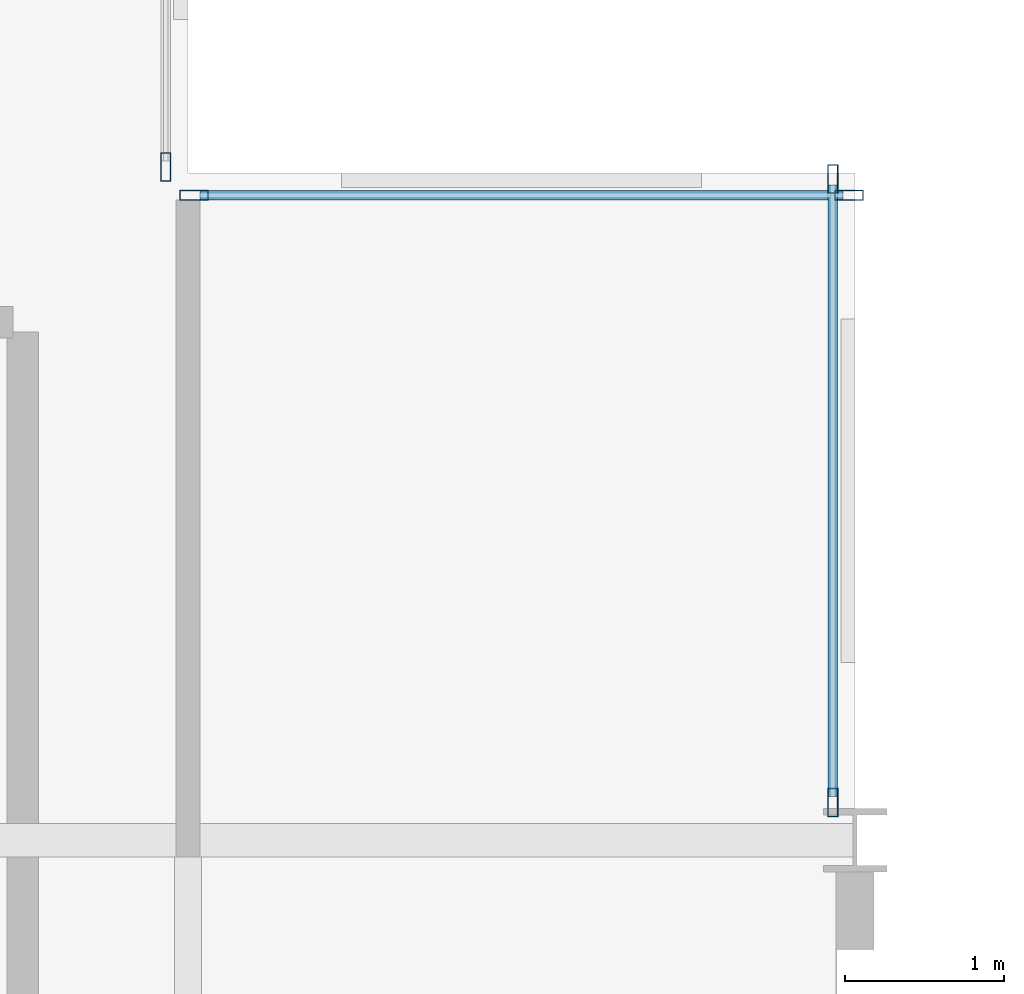
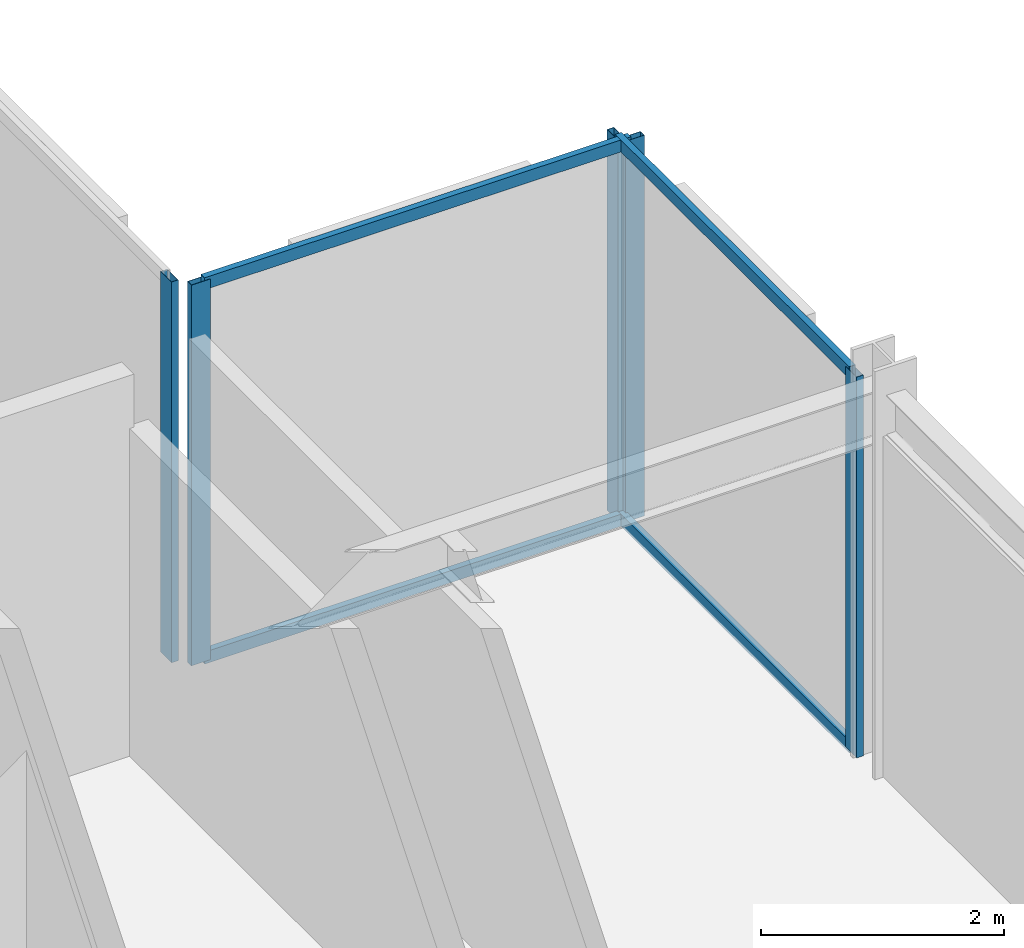
# One storey, part 20 of 29: 9 members, 3 elements without a shape of their own.
"""IFC4 building model written with IfcOpenShell, lengths in metres."""

from ifc_helpers import new_model, si_unit, direction, frame, origin, origin_2d, place, context, subcontext, project, spatial, hollow_rectangle, extrude, material, layer, layer_set, material_profile, profile_set, type_object, element, aggregate, save


model = new_model("IFC4")

# Units and contexts
model_context = context("Model", 3, precision=1e-05, world=origin(), true_north=direction((0.0, 1.0)))
body_context = subcontext(model_context, "Body", "Model", "MODEL_VIEW")
ifc_project = project(units=[si_unit("LENGTHUNIT", "METRE"), si_unit("AREAUNIT", "SQUARE_METRE"), si_unit("VOLUMEUNIT", "CUBIC_METRE"), si_unit("PLANEANGLEUNIT", "RADIAN"), si_unit("MASSUNIT", "GRAM", prefix="KILO")], contexts=[model_context])

# Site, building, storey
site_placement = place(None, origin())
site = spatial("IfcSite", under=ifc_project, at=site_placement, CompositionType="ELEMENT")
building_placement = place(site_placement, origin())
building = spatial("IfcBuilding", under=site, at=building_placement, Name="Nerrivon Quay Data Exchange", CompositionType="ELEMENT")
storey_placement = place(building_placement, frame((0.0, 0.0, 121.300048828125)))
storey = spatial("IfcBuildingStorey", under=building, at=storey_placement, Name="L28", CompositionType="ELEMENT", Elevation=121.300048828125)

# Curtain wall, member
ifc_material = material(Name="Anodised aluminium 6063-T6", Category="aluminium")
ifc_layer = layer(ifc_material, 0.2099609375)
ifc_layer_set = layer_set([ifc_layer], Name="Anodised aluminium 6063-T6")
curtain_wall_type = type_object("IfcCurtainWallType", Name="CW-SYS-02", PredefinedType="NOTDEFINED", material=ifc_layer_set)
curtain_wall_1_placement = place(storey_placement, origin())
curtain_wall_1 = element("IfcCurtainWall", 1, at=curtain_wall_1_placement, inside=storey, type_object=curtain_wall_type, Name="L28 Unitised Curtain Wall 21", PredefinedType="NOTDEFINED")
ifc_material_profile_1 = material_profile(ifc_material, hollow_rectangle(XDim=0.06494140625, YDim=0.179931640625, WallThickness=0.00341796875, at=origin_2d()), Name="ALU-MULL-180x65")
ifc_profile_set_1 = profile_set([ifc_material_profile_1], Name="Anodised aluminium 6063-T6")
member_type_1 = type_object("IfcMemberType", Name="CWM-180x65", PredefinedType="MULLION", material=ifc_profile_set_1)
member_1_placement = place(storey_placement, frame((20.860107421875, 46.237548828125, 0.0), z_axis=(0.0, 0.0, 1.0), x_axis=(1.0, 0.0, 0.0)))
member_1 = element("IfcMember", 2, at=member_1_placement, type_object=member_type_1, Name="CW02 mullion 2", PredefinedType="MULLION", context=body_context, shape_type="SweptSolid", body=[
    extrude(hollow_rectangle(XDim=0.06494140625, YDim=0.179931640625, WallThickness=0.00341796875, at=origin_2d()), origin(), (0.0, 0.0, 1.0), 3.824951171875),
])
aggregate(curtain_wall_1, [member_1])

# Curtain wall, members
curtain_wall_2_placement = place(storey_placement, origin())
curtain_wall_2 = element("IfcCurtainWall", 3, at=curtain_wall_2_placement, inside=storey, type_object=curtain_wall_type, Name="L28 Unitised Curtain Wall 22", PredefinedType="NOTDEFINED")
member_2_placement = place(storey_placement, frame((21.03759765625, 46.06005859375, 0.0), z_axis=(0.0, 0.0, 1.0), x_axis=(0.0, 1.0, 0.0)))
member_2 = element("IfcMember", 4, at=member_2_placement, type_object=member_type_1, Name="CW02 mullion 1", PredefinedType="MULLION", context=body_context, shape_type="SweptSolid", body=[
    extrude(hollow_rectangle(XDim=0.06494140625, YDim=0.179931640625, WallThickness=0.00341796875, at=origin_2d()), origin(), (0.0, 0.0, 1.0), 3.824951171875),
])
member_3_placement = place(storey_placement, frame((25.16259765625, 46.06005859375, 0.0), z_axis=(0.0, 0.0, 1.0), x_axis=(0.0, 1.0, 0.0)))
member_3 = element("IfcMember", 5, at=member_3_placement, type_object=member_type_1, Name="CW02 mullion 2", PredefinedType="MULLION", context=body_context, shape_type="SweptSolid", body=[
    extrude(hollow_rectangle(XDim=0.06494140625, YDim=0.179931640625, WallThickness=0.00341796875, at=origin_2d()), origin(), (0.0, 0.0, 1.0), 3.824951171875),
])

curtain_wall_3_placement = place(storey_placement, origin())
curtain_wall_3 = element("IfcCurtainWall", 6, at=curtain_wall_3_placement, inside=storey, type_object=curtain_wall_type, Name="L28 Unitised Curtain Wall 23", PredefinedType="NOTDEFINED")
member_4_placement = place(storey_placement, frame((25.06005859375, 46.16259765625, 0.0), z_axis=(0.0, 0.0, 1.0), x_axis=(1.0, 0.0, 0.0)))
member_4 = element("IfcMember", 7, at=member_4_placement, type_object=member_type_1, Name="CW02 mullion 1", PredefinedType="MULLION", context=body_context, shape_type="SweptSolid", body=[
    extrude(hollow_rectangle(XDim=0.06494140625, YDim=0.179931640625, WallThickness=0.00341796875, at=origin_2d()), origin(), (0.0, 0.0, 1.0), 3.824951171875),
])
member_5_placement = place(storey_placement, frame((25.06005859375, 42.237548828125, 0.0), z_axis=(0.0, 0.0, 1.0), x_axis=(1.0, 0.0, 0.0)))
member_5 = element("IfcMember", 8, at=member_5_placement, type_object=member_type_1, Name="CW02 mullion 2", PredefinedType="MULLION", context=body_context, shape_type="SweptSolid", body=[
    extrude(hollow_rectangle(XDim=0.06494140625, YDim=0.179931640625, WallThickness=0.00341796875, at=origin_2d()), origin(), (0.0, 0.0, 1.0), 3.824951171875),
])

# Member
ifc_material_profile_2 = material_profile(ifc_material, hollow_rectangle(XDim=0.06005859375, YDim=0.1201171875, WallThickness=0.003173828125, at=origin_2d()), Name="ALU-TRAN-120x60")
ifc_profile_set_2 = profile_set([ifc_material_profile_2], Name="Anodised aluminium 6063-T6")
member_type_2 = type_object("IfcMemberType", Name="CWT-120x60", PredefinedType="USERDEFINED", material=ifc_profile_set_2)
member_6_placement = place(storey_placement, frame((21.074951171875, 46.06005859375, 0.032470703125), z_axis=(1.0, 0.0, 0.0), x_axis=(0.0, 1.0, 0.0)))
member_6 = element("IfcMember", 9, at=member_6_placement, type_object=member_type_2, Name="CW02 transom 1.1", ObjectType="TRANSOM", PredefinedType="USERDEFINED", context=body_context, shape_type="SweptSolid", body=[
    extrude(hollow_rectangle(XDim=0.06005859375, YDim=0.1201171875, WallThickness=0.003173828125, at=origin_2d()), origin(), (0.0, 0.0, 1.0), 4.050048828125),
])

member_7_placement = place(storey_placement, frame((21.074951171875, 46.06005859375, 3.79248046875), z_axis=(1.0, 0.0, 0.0), x_axis=(0.0, 1.0, 0.0)))
member_7 = element("IfcMember", 10, at=member_7_placement, type_object=member_type_2, Name="CW02 transom 1.2", ObjectType="TRANSOM", PredefinedType="USERDEFINED", context=body_context, shape_type="SweptSolid", body=[
    extrude(hollow_rectangle(XDim=0.06005859375, YDim=0.1201171875, WallThickness=0.003173828125, at=origin_2d()), origin(), (0.0, 0.0, 1.0), 4.050048828125),
])

aggregate(curtain_wall_2, [member_2, member_3, member_6, member_7])

member_8_placement = place(storey_placement, frame((25.06005859375, 46.125, 0.032470703125), z_axis=(0.0, -1.0, 0.0), x_axis=(1.0, 0.0, 0.0)))
member_8 = element("IfcMember", 11, at=member_8_placement, type_object=member_type_2, Name="CW02 transom 1.1", ObjectType="TRANSOM", PredefinedType="USERDEFINED", context=body_context, shape_type="SweptSolid", body=[
    extrude(hollow_rectangle(XDim=0.06005859375, YDim=0.1201171875, WallThickness=0.003173828125, at=origin_2d()), origin(), (0.0, 0.0, 1.0), 3.85009765625),
])

member_9_placement = place(storey_placement, frame((25.06005859375, 46.125, 3.79248046875), z_axis=(0.0, -1.0, 0.0), x_axis=(1.0, 0.0, 0.0)))
member_9 = element("IfcMember", 12, at=member_9_placement, type_object=member_type_2, Name="CW02 transom 1.2", ObjectType="TRANSOM", PredefinedType="USERDEFINED", context=body_context, shape_type="SweptSolid", body=[
    extrude(hollow_rectangle(XDim=0.06005859375, YDim=0.1201171875, WallThickness=0.003173828125, at=origin_2d()), origin(), (0.0, 0.0, 1.0), 3.85009765625),
])

aggregate(curtain_wall_3, [member_4, member_5, member_8, member_9])

save(model, "model.ifc")
